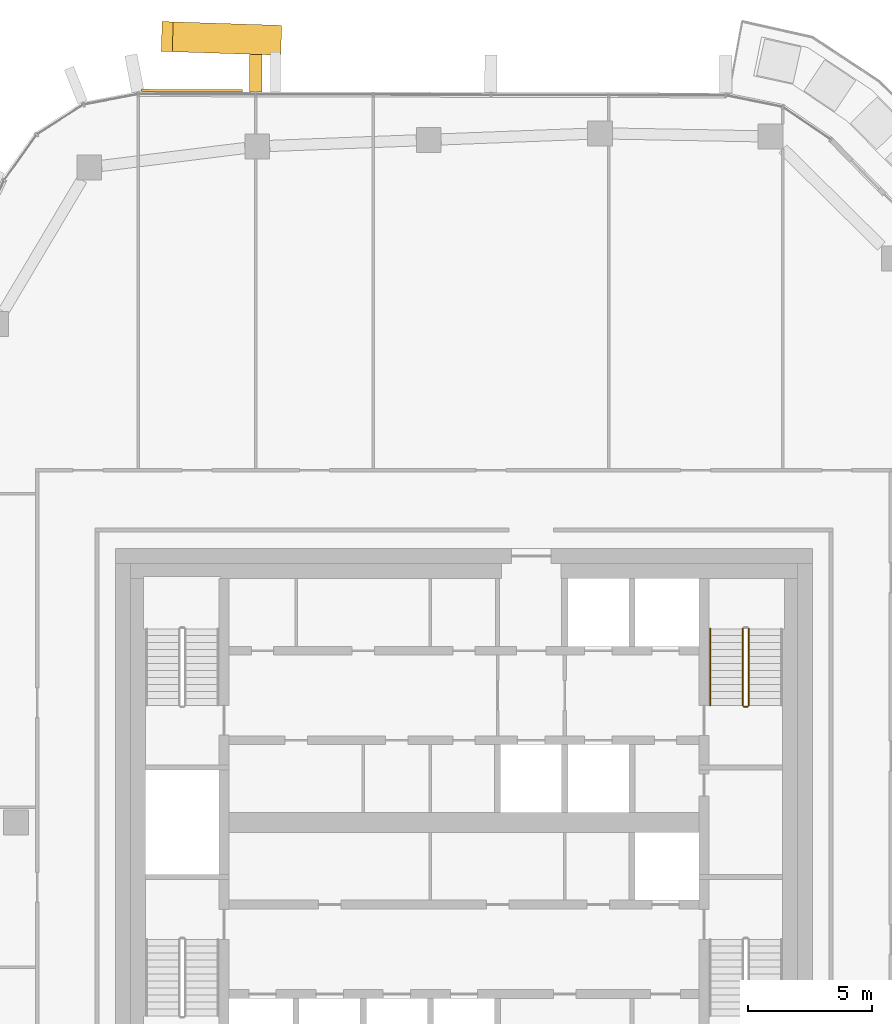
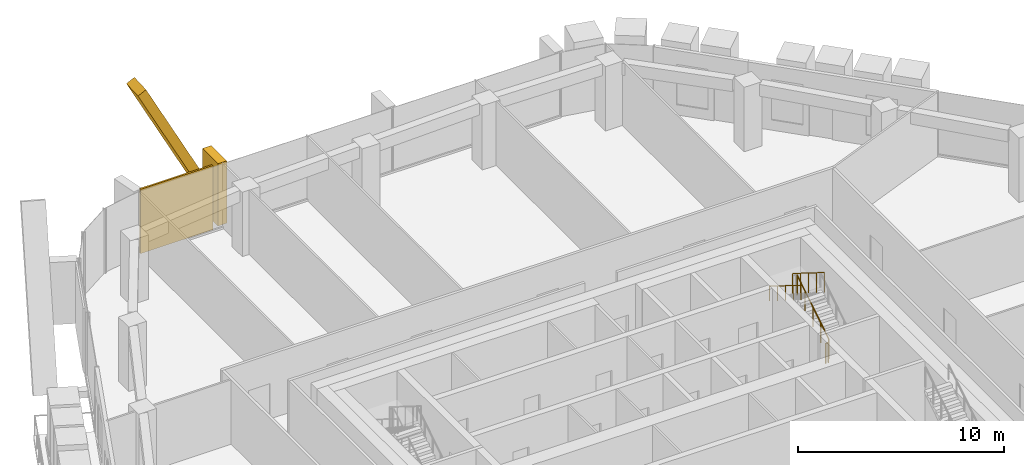
# One storey, part 22 of 24: 4 railings, 3 coverings, 1 element without a shape of its own.
"""IFC4 building model written with IfcOpenShell, lengths in metres."""

from ifc_helpers import new_model, si_unit, direction, frame, origin, origin_2d, place, context, subcontext, project, spatial, rectangle, circle, extrude, material, layer, layer_set, material_profile, profile_set, type_object, element, aggregate, save


model = new_model("IFC4")

# Units and contexts
model_context = context("Model", 3, precision=1e-05, world=origin(), true_north=direction((0.0, 1.0)))
body_context = subcontext(model_context, "Body", "Model", "MODEL_VIEW")
ifc_project = project(units=[si_unit("LENGTHUNIT", "METRE"), si_unit("AREAUNIT", "SQUARE_METRE"), si_unit("VOLUMEUNIT", "CUBIC_METRE"), si_unit("PLANEANGLEUNIT", "RADIAN"), si_unit("MASSUNIT", "GRAM", prefix="KILO")], contexts=[model_context])

# Site, building, storey
site_placement = place(None, origin())
site = spatial("IfcSite", under=ifc_project, at=site_placement, CompositionType="ELEMENT")
building_placement = place(site_placement, origin())
building = spatial("IfcBuilding", under=site, at=building_placement, Name="Dongbaek Canopy Tower", CompositionType="ELEMENT")
storey_placement = place(building_placement, frame((0.0, 0.0, 311.0)))
storey = spatial("IfcBuildingStorey", under=building, at=storey_placement, Name="L66", CompositionType="ELEMENT", Elevation=311.0)

# Curtain wall, coverings
ifc_material_1 = material(Name="Aluminium 6063-T6 pale anodised", Category="aluminium")
ifc_layer_1 = layer(ifc_material_1, 0.199951171875)
ifc_layer_set_1 = layer_set([ifc_layer_1], Name="CW-1 unitised tower curtain wall")
curtain_wall_type = type_object("IfcCurtainWallType", Name="CW-1 unitised tower curtain wall", PredefinedType="NOTDEFINED", material=ifc_layer_set_1)
curtain_wall_placement = place(storey_placement, origin())
curtain_wall = element("IfcCurtainWall", 1, at=curtain_wall_placement, inside=storey, type_object=curtain_wall_type, Name="CW-1 curtain wall F1.1", PredefinedType="NOTDEFINED")
ifc_material_2 = material(Name="Aluminium 6063-T6 pale metal fin", Category="aluminium")
ifc_material_profile_1 = material_profile(ifc_material_2, rectangle(XDim=1.199951171875, YDim=0.5, at=origin_2d()), Name="Crease fin CF1 500 x 1200 pale metal")
ifc_profile_set_1 = profile_set([ifc_material_profile_1], Name="Aluminium 6063-T6 pale metal fin")
covering_type_1 = type_object("IfcCoveringType", Name="Crease fin CF1 500 x 1200 pale metal", PredefinedType="CLADDING", material=ifc_profile_set_1)
covering_1_placement = place(storey_placement, frame((-7.568115234375, 31.437255859375, -0.18994140625), z_axis=(-0.460669505436, 0.014908565182, 0.887446528781), x_axis=(-0.032345887612, -0.999476734874, 0.0)))
covering_1 = element("IfcCovering", 2, at=covering_1_placement, type_object=covering_type_1, Name="Crease fin L66 L68 F1", PredefinedType="CLADDING", context=body_context, shape_type="SweptSolid", body=[
    extrude(rectangle(XDim=1.199951171875, YDim=0.5, at=origin_2d()), origin(), (0.0, 0.0, 1.0), 9.46533203125),
])
ifc_material_3 = material(Name="Perforated aluminium 6063-T6 pale metal screen", Category="aluminium")
ifc_layer_2 = layer(ifc_material_3, 0.10009765625)
ifc_layer_set_2 = layer_set([ifc_layer_2], Name="Facet screen FS1 100 pale metal")
covering_type_2 = type_object("IfcCoveringType", Name="Facet screen FS1 100 pale metal", PredefinedType="CLADDING", material=ifc_layer_set_2)
covering_2_placement = place(storey_placement, frame((-10.934814453125, 29.409423828125, 0.0), z_axis=(0.0, 0.0, 1.0), x_axis=(-0.999997623984, 0.002179914509, 0.0)))
covering_2 = element("IfcCovering", 3, at=covering_2_placement, type_object=covering_type_2, Name="Facet screen L66 F1", PredefinedType="CLADDING", context=body_context, shape_type="SweptSolid", body=[
    extrude(rectangle(XDim=4.046875, YDim=0.10009765625, at=origin_2d()), origin(), (0.0, 0.0, 1.0), 3.820068359375),
])
ifc_material_4 = material(Name="Aluminium 6063-T6 pale metal fin", Category="aluminium")
ifc_material_profile_2 = material_profile(ifc_material_4, rectangle(XDim=1.5, YDim=0.5, at=origin_2d()), Name="Fin FN1 500 x 1500 pale metal")
ifc_profile_set_2 = profile_set([ifc_material_profile_2], Name="Aluminium 6063-T6 pale metal fin")
covering_type_3 = type_object("IfcCoveringType", Name="Fin FN1 500 x 1500 pale metal", PredefinedType="CLADDING", material=ifc_profile_set_2)
covering_3_placement = place(storey_placement, frame((-8.368896484375, 30.10791015625, 0.1201171875), z_axis=(0.0, 0.0, 1.0), x_axis=(0.002180161438, 0.999997623445, 0.0)))
covering_3 = element("IfcCovering", 4, at=covering_3_placement, type_object=covering_type_3, Name="Fin F1.1.5", PredefinedType="CLADDING", context=body_context, shape_type="SweptSolid", body=[
    extrude(rectangle(XDim=1.5, YDim=0.5, at=origin_2d()), origin(), (0.0, 0.0, 1.0), 3.699951171875),
])
aggregate(curtain_wall, [covering_3, covering_1, covering_2])

# Railings
ifc_material_5 = material(Name="Stainless steel tube and balusters", Category="steel")
railing_type_1 = type_object("IfcRailingType", Name="Stair guard 1200", PredefinedType="GUARDRAIL", material=ifc_material_5)
railing_1_placement = place(storey_placement, frame((11.449951171875, 4.699951171875, 0.175048828125)))
element("IfcRailing", 5, at=railing_1_placement, inside=storey, type_object=railing_type_1, Name="L66 ST-A stair guard 1", PredefinedType="GUARDRAIL", context=body_context, shape_type="SweptSolid", body=[
    extrude(circle(Radius=0.02392578125, at=origin_2d()), frame((0.0, 0.0, 1.17578125), z_axis=(0.0, 0.847998304005, 0.529998940003), x_axis=(-1.0, 0.0, 0.0)), (0.0, 0.0, 1.0), 3.632080078125),
    extrude(circle(Radius=0.02099609375, at=origin_2d()), origin(), (0.0, 0.0, 1.0), 1.15185546875),
    extrude(circle(Radius=0.02099609375, at=origin_2d()), frame((0.0, 0.77001953125, 0.481201171875)), (0.0, 0.0, 1.0), 1.15185546875),
    extrude(circle(Radius=0.02099609375, at=origin_2d()), frame((0.0, 1.5400390625, 0.96240234375)), (0.0, 0.0, 1.0), 1.15185546875),
    extrude(circle(Radius=0.02099609375, at=origin_2d()), frame((0.0, 2.31005859375, 1.44384765625)), (0.0, 0.0, 1.0), 1.15185546875),
    extrude(circle(Radius=0.02099609375, at=origin_2d()), frame((0.0, 3.080078125, 1.925048828125)), (0.0, 0.0, 1.0), 1.15185546875),
])
railing_2_placement = place(storey_placement, frame((11.199951171875, 7.780029296875, 2.27490234375)))
element("IfcRailing", 6, at=railing_2_placement, inside=storey, type_object=railing_type_1, Name="L66 ST-A stair guard 3", PredefinedType="GUARDRAIL", context=body_context, shape_type="SweptSolid", body=[
    extrude(circle(Radius=0.02392578125, at=origin_2d()), frame((0.0, 0.0, 1.17578125), z_axis=(0.0, -0.847998304005, 0.529998940003), x_axis=(1.0, 0.0, 0.0)), (0.0, 0.0, 1.0), 3.632080078125),
    extrude(circle(Radius=0.02099609375, at=origin_2d()), origin(), (0.0, 0.0, 1.0), 1.15185546875),
    extrude(circle(Radius=0.02099609375, at=origin_2d()), frame((0.0, -0.77001953125, 0.481201171875)), (0.0, 0.0, 1.0), 1.15185546875),
    extrude(circle(Radius=0.02099609375, at=origin_2d()), frame((0.0, -1.5400390625, 0.96240234375)), (0.0, 0.0, 1.0), 1.15185546875),
    extrude(circle(Radius=0.02099609375, at=origin_2d()), frame((0.0, -2.31005859375, 1.44384765625)), (0.0, 0.0, 1.0), 1.15185546875),
    extrude(circle(Radius=0.02099609375, at=origin_2d()), frame((0.0, -3.080078125, 1.925048828125)), (0.0, 0.0, 1.0), 1.15185546875),
])
railing_3_placement = place(storey_placement, frame((11.39990234375, 4.64990234375, 0.0)))
element("IfcRailing", 7, at=railing_3_placement, inside=storey, type_object=railing_type_1, Name="L66 ST-A stair guard 4", PredefinedType="GUARDRAIL", context=body_context, shape_type="SweptSolid", body=[
    extrude(circle(Radius=0.02392578125, at=origin_2d()), frame((0.0, 0.0, 1.17578125), z_axis=(-1.0, 0.0, 0.0), x_axis=(0.0, -1.0, 0.0)), (0.0, 0.0, 1.0), 0.14990234375),
    extrude(circle(Radius=0.02099609375, at=origin_2d()), origin(), (0.0, 0.0, 1.0), 1.15185546875),
    extrude(circle(Radius=0.02099609375, at=origin_2d()), frame((-0.14990234375, 0.0, 0.0)), (0.0, 0.0, 1.0), 1.15185546875),
])
ifc_material_6 = material(Name="Stainless steel tube", Category="steel")
railing_type_2 = type_object("IfcRailingType", Name="Stair handrail 900", PredefinedType="HANDRAIL", material=ifc_material_6)
railing_4_placement = place(storey_placement, frame((9.89990234375, 7.780029296875, 2.27490234375)))
element("IfcRailing", 8, at=railing_4_placement, inside=storey, type_object=railing_type_2, Name="L66 ST-A stair handrail 2", PredefinedType="HANDRAIL", context=body_context, shape_type="SweptSolid", body=[
    extrude(circle(Radius=0.02392578125, at=origin_2d()), frame((0.0, 0.0, 0.8759765625), z_axis=(0.0, -0.847998304005, 0.529998940003), x_axis=(1.0, 0.0, 0.0)), (0.0, 0.0, 1.0), 3.632080078125),
    extrude(circle(Radius=0.02099609375, at=origin_2d()), origin(), (0.0, 0.0, 1.0), 0.851806640625),
    extrude(circle(Radius=0.02099609375, at=origin_2d()), frame((0.0, -0.77001953125, 0.481201171875)), (0.0, 0.0, 1.0), 0.851806640625),
    extrude(circle(Radius=0.02099609375, at=origin_2d()), frame((0.0, -1.5400390625, 0.96240234375)), (0.0, 0.0, 1.0), 0.851806640625),
    extrude(circle(Radius=0.02099609375, at=origin_2d()), frame((0.0, -2.31005859375, 1.44384765625)), (0.0, 0.0, 1.0), 0.851806640625),
    extrude(circle(Radius=0.02099609375, at=origin_2d()), frame((0.0, -3.080078125, 1.925048828125)), (0.0, 0.0, 1.0), 0.851806640625),
])

save(model, "model.ifc")
